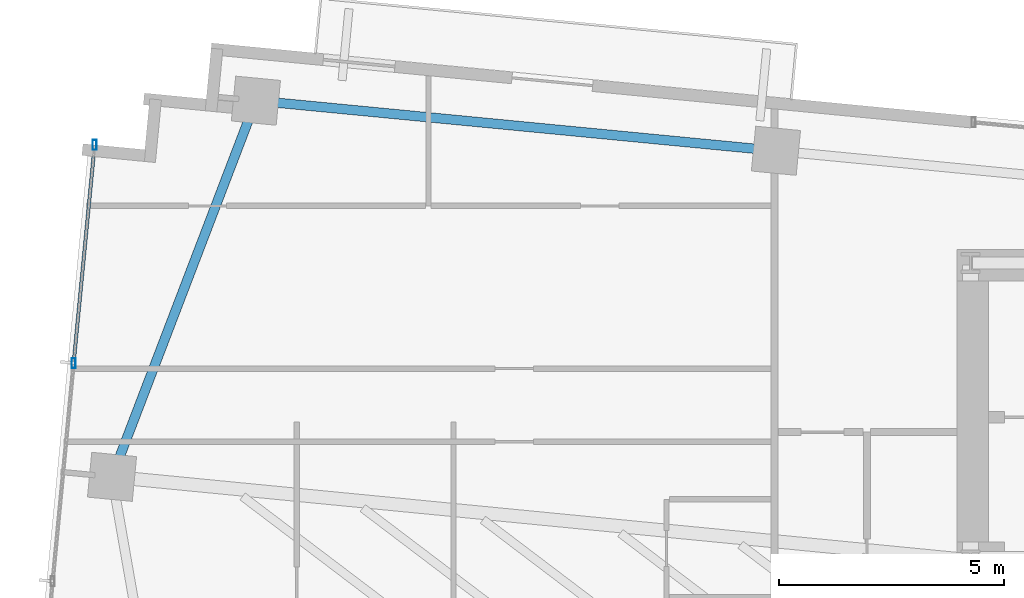
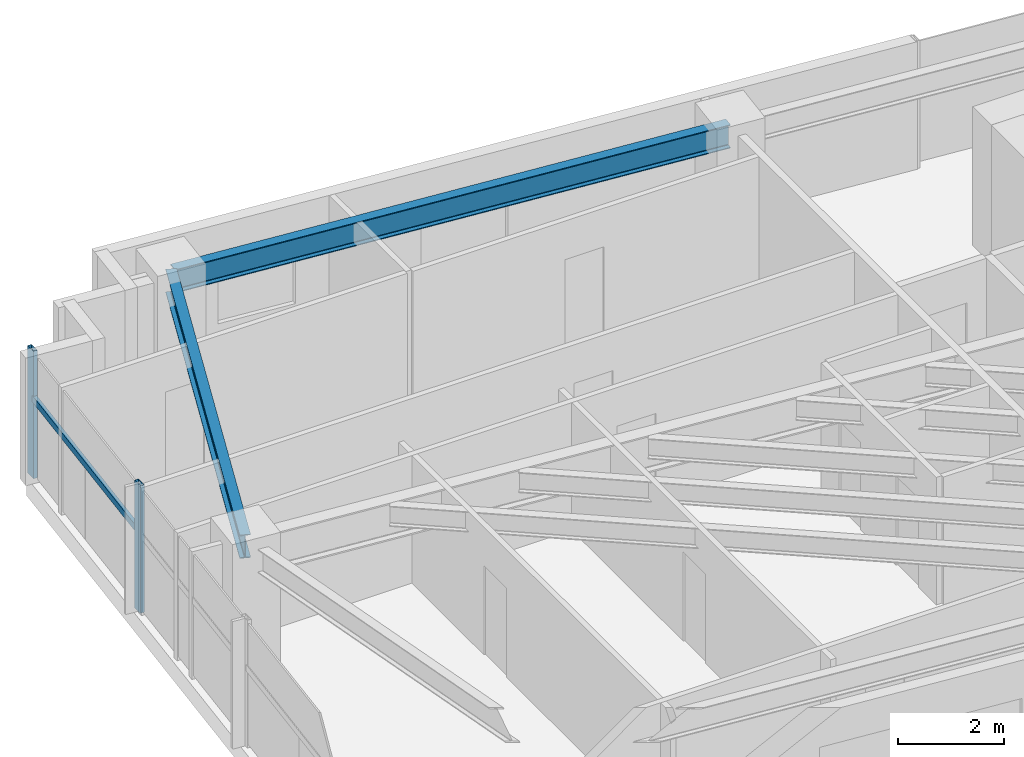
# One storey, part 6 of 19: 3 members, 2 beams, 1 element without a shape of its own.
"""IFC4 building model written with IfcOpenShell, lengths in metres."""

from ifc_helpers import new_model, si_unit, direction, frame, origin, origin_2d, place, context, subcontext, project, spatial, hollow_rectangle, i_section, extrude, source, transform, mapped, material, material_profile, profile_set, type_object, type_shapes, element, aggregate, save


model = new_model("IFC4")

# Units and contexts
model_context = context("Model", 3, precision=1e-05, world=origin(), true_north=direction((0.0, 1.0)))
body_context = subcontext(model_context, "Body", "Model", "MODEL_VIEW")
ifc_project = project(units=[si_unit("LENGTHUNIT", "METRE"), si_unit("AREAUNIT", "SQUARE_METRE"), si_unit("VOLUMEUNIT", "CUBIC_METRE"), si_unit("PLANEANGLEUNIT", "RADIAN"), si_unit("MASSUNIT", "GRAM", prefix="KILO")], contexts=[model_context])

# Site, building, storey
site_placement = place(None, origin())
site = spatial("IfcSite", under=ifc_project, at=site_placement, CompositionType="ELEMENT")
building_placement = place(site_placement, origin())
building = spatial("IfcBuilding", under=site, at=building_placement, Name="Astriad Promenade Condominiums", CompositionType="ELEMENT")
storey_placement = place(building_placement, frame((0.0, 0.0, 124.60009765625)))
storey = spatial("IfcBuildingStorey", under=building, at=storey_placement, Name="L35", CompositionType="ELEMENT", Elevation=124.60009765625)

# Beams
ifc_material_1 = material(Name="Steel ASTM A992 Grade 50", Category="steel")
ifc_material_profile_1 = material_profile(ifc_material_1, i_section(OverallWidth=0.210693359375, OverallDepth=0.53955078125, WebThickness=0.01171875, FlangeThickness=0.018798828125, FilletRadius=0.0166015625, at=origin_2d()), Name="W21X73")
ifc_profile_set_1 = profile_set([ifc_material_profile_1], Name="Steel ASTM A992 Grade 50")
beam_type = type_object("IfcBeamType", Name="STEEL SPANDREL BEAM W21X73", PredefinedType="SPANDREL", material=ifc_profile_set_1)
shared_shape_1 = source(origin(), body_context, "Body", "SweptSolid", [
    extrude(i_section(OverallWidth=0.210693359375, OverallDepth=0.53955078125, WebThickness=0.01171875, FlangeThickness=0.018798828125, FilletRadius=0.0166015625, at=origin_2d()), origin(), (0.0, 0.0, 1.0), 11.52001953125),
])
beam_1_placement = place(storey_placement, frame((22.039794921875, 26.495849609375, 2.670166015625), z_axis=(-0.9953953902, 0.095854145285, 0.0), x_axis=(-0.095854145285, -0.9953953902, 0.0)))
element("IfcBeam", 1, at=beam_1_placement, inside=storey, type_object=beam_type, Name="Perimeter Spandrel Beam SP-N1-L35", PredefinedType="SPANDREL", context=body_context, shape_type="MappedRepresentation", body=[
    mapped(shared_shape_1, transform((0.0, 0.0, 0.0), scale=1.0)),
])
shared_shape_2 = source(origin(), body_context, "Body", "SweptSolid", [
    extrude(i_section(OverallWidth=0.210693359375, OverallDepth=0.53955078125, WebThickness=0.01171875, FlangeThickness=0.018798828125, FilletRadius=0.0166015625, at=origin_2d()), origin(), (0.0, 0.0, 1.0), 8.862548828125),
])
type_shapes(beam_type, [shared_shape_1, shared_shape_2])
beam_2_placement = place(storey_placement, frame((10.518798828125, 27.56640625, 2.670166015625), z_axis=(-0.357322663703, -0.933981003021, 0.0), x_axis=(0.933981003021, -0.357322663703, 0.0)))
element("IfcBeam", 2, at=beam_2_placement, inside=storey, type_object=beam_type, Name="Perimeter Spandrel Beam SP-W2-L35", PredefinedType="SPANDREL", context=body_context, shape_type="MappedRepresentation", body=[
    mapped(shared_shape_2, transform((0.0, 0.0, 0.0), scale=1.0)),
])

# Curtain wall, members
ifc_material_2 = material(Name="Anodised aluminium Black Dark Glass Unitised", Category="aluminium")
curtain_wall_type = type_object("IfcCurtainWallType", Name="CW-B34-DARK", PredefinedType="USERDEFINED", material=ifc_material_2)
curtain_wall_placement = place(storey_placement, origin())
curtain_wall = element("IfcCurtainWall", 3, at=curtain_wall_placement, inside=storey, type_object=curtain_wall_type, Name="CW-L35-W", ObjectType="UNITISED_CURTAIN_WALL", PredefinedType="USERDEFINED")
ifc_material_3 = material(Name="Anodised aluminium 6063-T6 Black", Category="aluminium")
ifc_material_profile_2 = material_profile(ifc_material_3, hollow_rectangle(XDim=0.0849609375, YDim=0.219970703125, WallThickness=0.0048828125, at=origin_2d()), Name="ALU-MUL-85X220")
ifc_profile_set_2 = profile_set([ifc_material_profile_2], Name="Anodised aluminium 6063-T6 Black")
member_type_1 = type_object("IfcMemberType", Name="MUL-ALU-MUL-85X220", PredefinedType="MULLION", material=ifc_profile_set_2)
shared_shape_3 = source(origin(), body_context, "Body", "SweptSolid", [
    extrude(hollow_rectangle(XDim=0.0849609375, YDim=0.219970703125, WallThickness=0.0048828125, at=origin_2d()), origin(), (0.0, 0.0, 1.0), 2.93994140625),
])
type_shapes(member_type_1, [shared_shape_3])
member_1_placement = place(storey_placement, frame((6.486083984375, 21.7783203125, 0.0), z_axis=(0.0, 0.0, 1.0), x_axis=(1.0, 0.0, 0.0)))
member_1 = element("IfcMember", 4, at=member_1_placement, type_object=member_type_1, Name="CW-L35-W-MUL-02", PredefinedType="MULLION", context=body_context, shape_type="MappedRepresentation", body=[
    mapped(shared_shape_3, transform((0.0, 0.0, 0.0), scale=1.0)),
])
member_2_placement = place(storey_placement, frame((6.952392578125, 26.62255859375, 0.0), z_axis=(0.0, 0.0, 1.0), x_axis=(1.0, 0.0, 0.0)))
member_2 = element("IfcMember", 5, at=member_2_placement, type_object=member_type_1, Name="CW-L35-W-MUL-03", PredefinedType="MULLION", context=body_context, shape_type="MappedRepresentation", body=[
    mapped(shared_shape_3, transform((0.0, 0.0, 0.0), scale=1.0)),
])
ifc_material_profile_3 = material_profile(ifc_material_3, hollow_rectangle(XDim=0.074951171875, YDim=0.14990234375, WallThickness=0.004150390625, at=origin_2d()), Name="ALU-TRN-75X150")
ifc_profile_set_3 = profile_set([ifc_material_profile_3], Name="Anodised aluminium 6063-T6 Black")
member_type_2 = type_object("IfcMemberType", Name="TRN-ALU-TRN-75X150", PredefinedType="USERDEFINED", material=ifc_profile_set_3)
shared_shape_4 = source(origin(), body_context, "Body", "SweptSolid", [
    extrude(hollow_rectangle(XDim=0.074951171875, YDim=0.14990234375, WallThickness=0.004150390625, at=origin_2d()), origin(), (0.0, 0.0, 1.0), 4.86669921875),
])
type_shapes(member_type_2, [shared_shape_4])
member_3_placement = place(storey_placement, frame((6.486083984375, 21.7783203125, 1.82275390625), z_axis=(0.095817554883, 0.995398913088, 0.0), x_axis=(-0.995398913088, 0.095817554883, 0.0)))
member_3 = element("IfcMember", 6, at=member_3_placement, type_object=member_type_2, Name="CW-L35-W-TRN-02-0", ObjectType="TRANSOM", PredefinedType="USERDEFINED", context=body_context, shape_type="MappedRepresentation", body=[
    mapped(shared_shape_4, transform((0.0, 0.0, 0.0), scale=1.0)),
])
aggregate(curtain_wall, [member_1, member_2, member_3])

save(model, "model.ifc")
